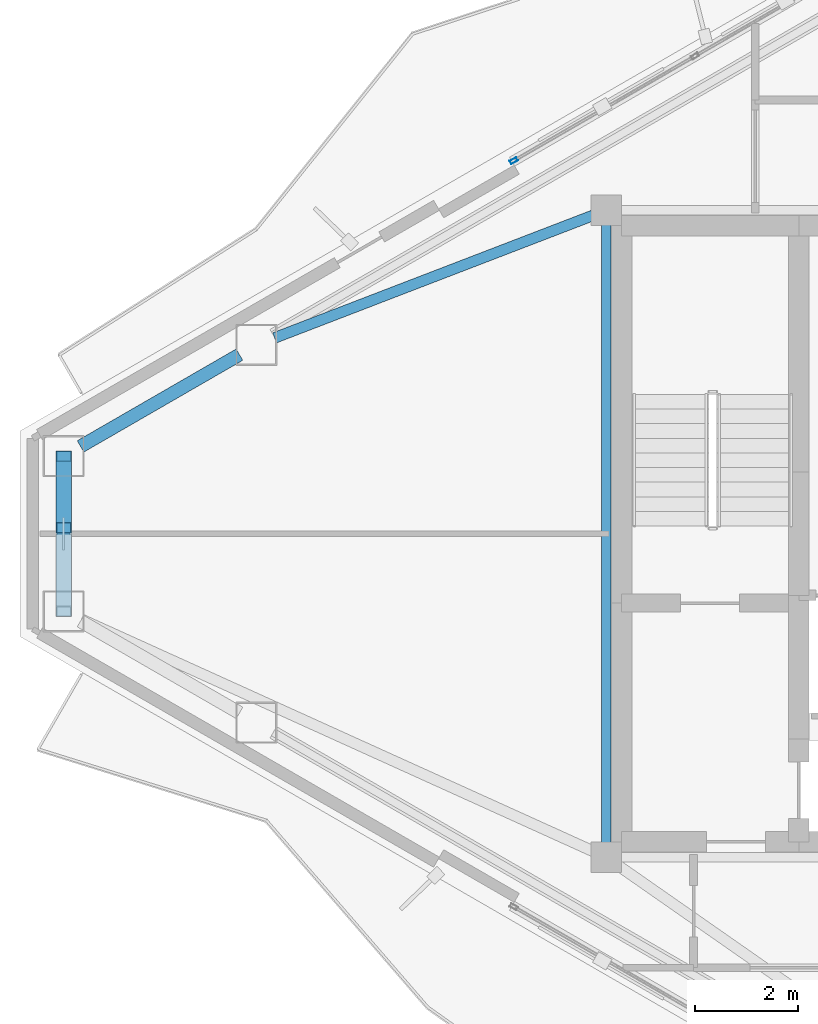
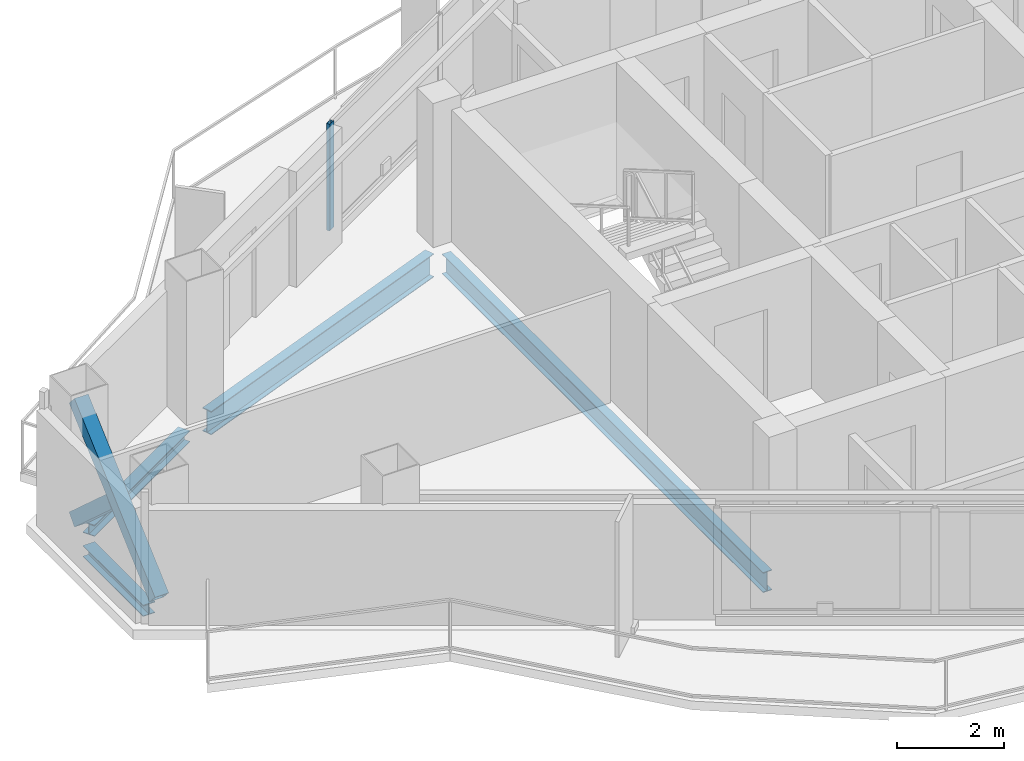
# One storey, part 8 of 18: 4 beams, 3 members, 1 element without a shape of its own.
"""IFC4 building model written with IfcOpenShell, lengths in metres."""

from ifc_helpers import new_model, si_unit, direction, frame, origin, origin_2d, place, context, subcontext, project, spatial, hollow_rectangle, i_section, extrude, material, layer, layer_set, material_profile, profile_set, type_object, element, aggregate, save


model = new_model("IFC4")

# Units and contexts
model_context = context("Model", 3, precision=1e-05, world=origin(), true_north=direction((0.0, 1.0)))
body_context = subcontext(model_context, "Body", "Model", "MODEL_VIEW")
ifc_project = project(units=[si_unit("LENGTHUNIT", "METRE"), si_unit("AREAUNIT", "SQUARE_METRE"), si_unit("VOLUMEUNIT", "CUBIC_METRE"), si_unit("PLANEANGLEUNIT", "RADIAN"), si_unit("MASSUNIT", "GRAM", prefix="KILO")], contexts=[model_context])

# Site, building, storey
site_placement = place(None, origin())
site = spatial("IfcSite", under=ifc_project, at=site_placement, CompositionType="ELEMENT")
building_placement = place(site_placement, origin())
building = spatial("IfcBuilding", under=site, at=building_placement, Name="Mersakhor Tower and Convention Hall", CompositionType="ELEMENT")
storey_placement = place(building_placement, frame((0.0, 0.0, 246.300048828125)))
storey = spatial("IfcBuildingStorey", under=building, at=storey_placement, Name="L69", CompositionType="ELEMENT", Elevation=246.300048828125)

# Beams
ifc_material_1 = material(Name="Steel S355", Category="steel")
ifc_material_profile_1 = material_profile(ifc_material_1, i_section(OverallWidth=0.19140625, OverallDepth=0.4599609375, WebThickness=0.010009765625, FlangeThickness=0.01611328125, at=origin_2d()), Name="UB 457x191x82")
ifc_profile_set_1 = profile_set([ifc_material_profile_1], Name="Steel S355")
beam_type_1 = type_object("IfcBeamType", Name="BM-FB-457", PredefinedType="BEAM", material=ifc_profile_set_1)
beam_1_placement = place(storey_placement, frame((21.89990234375, 20.72998046875, -0.449951171875), z_axis=(0.0, 1.0, 0.0), x_axis=(-1.0, 0.0, 0.0)))
element("IfcBeam", 1, at=beam_1_placement, inside=storey, type_object=beam_type_1, Name="L69 Core Ring Tie Beam CRB-1", PredefinedType="BEAM", context=body_context, shape_type="SweptSolid", body=[
    extrude(i_section(OverallWidth=0.19140625, OverallDepth=0.4599609375, WebThickness=0.010009765625, FlangeThickness=0.01611328125, at=origin_2d()), origin(), (0.0, 0.0, 1.0), 12.0400390625),
])
ifc_material_2 = material(Name="Steel S355", Category="steel")
ifc_material_profile_2 = material_profile(ifc_material_2, i_section(OverallWidth=0.2099609375, OverallDepth=0.53662109375, WebThickness=0.0107421875, FlangeThickness=0.017333984375, at=origin_2d()), Name="UB 533x210x101")
ifc_profile_set_2 = profile_set([ifc_material_profile_2], Name="Steel S355")
beam_type_2 = type_object("IfcBeamType", Name="BM-FB-533", PredefinedType="BEAM", material=ifc_profile_set_2)
beam_2_placement = place(storey_placement, frame((21.638671875, 32.949462890625, -0.48828125), z_axis=(-0.933316231297, -0.359055444741, 0.0), x_axis=(0.359055444741, -0.933316231297, 0.0)))
element("IfcBeam", 2, at=beam_2_placement, inside=storey, type_object=beam_type_2, Name="L69 Primary Floor Girder FG-1", PredefinedType="BEAM", context=body_context, shape_type="SweptSolid", body=[
    extrude(i_section(OverallWidth=0.2099609375, OverallDepth=0.53662109375, WebThickness=0.0107421875, FlangeThickness=0.017333984375, at=origin_2d()), origin(), (0.0, 0.0, 1.0), 6.64111328125),
])
ifc_material_3 = material(Name="Steel S355", Category="steel")
ifc_material_profile_3 = material_profile(ifc_material_3, i_section(OverallWidth=0.25634765625, OverallDepth=0.26025390625, WebThickness=0.01025390625, FlangeThickness=0.017333984375, at=origin_2d()), Name="UC 254x254x89")
ifc_profile_set_3 = profile_set([ifc_material_profile_3], Name="Steel S355")
beam_type_3 = type_object("IfcBeamType", Name="BM-SPD-UC254", PredefinedType="SPANDREL", material=ifc_profile_set_3)
beam_3_placement = place(storey_placement, frame((11.6611328125, 28.451416015625, -0.35009765625), z_axis=(0.866032030752, 0.499988521579, 0.0), x_axis=(-0.499988521579, 0.866032030752, 0.0)))
element("IfcBeam", 3, at=beam_3_placement, inside=storey, type_object=beam_type_3, Name="L69 Perimeter Spandrel Beam SPB-01", PredefinedType="SPANDREL", context=body_context, shape_type="SweptSolid", body=[
    extrude(i_section(OverallWidth=0.25634765625, OverallDepth=0.26025390625, WebThickness=0.01025390625, FlangeThickness=0.017333984375, at=origin_2d()), origin(), (0.0, 0.0, 1.0), 3.57421875),
])
beam_4_placement = place(storey_placement, frame((11.33203125, 25.61865234375, -0.35009765625), z_axis=(0.0, 1.0, 0.0), x_axis=(-1.0, 0.0, 0.0)))
element("IfcBeam", 4, at=beam_4_placement, inside=storey, type_object=beam_type_3, Name="L69 Perimeter Spandrel Beam SPB-12", PredefinedType="SPANDREL", context=body_context, shape_type="SweptSolid", body=[
    extrude(i_section(OverallWidth=0.25634765625, OverallDepth=0.26025390625, WebThickness=0.01025390625, FlangeThickness=0.017333984375, at=origin_2d()), origin(), (0.0, 0.0, 1.0), 2.2626953125),
])

# Curtain wall, member
ifc_material_4 = material(Name="Dark solar low-E aluminium curtain wall", Category="aluminium")
ifc_layer = layer(ifc_material_4, 0.179931640625)
ifc_layer_set = layer_set([ifc_layer], Name="Dark solar low-E aluminium curtain wall")
curtain_wall_type = type_object("IfcCurtainWallType", Name="CW-SYS-03", PredefinedType="USERDEFINED", material=ifc_layer_set)
curtain_wall_placement = place(storey_placement, origin())
curtain_wall = element("IfcCurtainWall", 5, at=curtain_wall_placement, inside=storey, type_object=curtain_wall_type, Name="L69 Dark-Glass Curtain Wall F1-B2", ObjectType="CURTAIN WALL", PredefinedType="USERDEFINED")
ifc_material_5 = material(Name="Anodised aluminium EN AW-6063 T6", Category="aluminium")
ifc_material_profile_4 = material_profile(ifc_material_5, hollow_rectangle(XDim=0.074951171875, YDim=0.14990234375, WallThickness=0.00634765625, at=origin_2d()), Name="RHS 150x75x6.3")
ifc_profile_set_4 = profile_set([ifc_material_profile_4], Name="Anodised aluminium EN AW-6063 T6")
member_type_1 = type_object("IfcMemberType", Name="CWM-150x75", PredefinedType="MULLION", material=ifc_profile_set_4)
member_1_placement = place(storey_placement, frame((20.098388671875, 34.015380859375, 0.199951171875), z_axis=(0.0, 0.0, 1.0), x_axis=(-0.500004411169, 0.86602285698, 0.0)))
member_1 = element("IfcMember", 6, at=member_1_placement, type_object=member_type_1, Name="CW-03 mullion 1", PredefinedType="MULLION", context=body_context, shape_type="SweptSolid", body=[
    extrude(hollow_rectangle(XDim=0.074951171875, YDim=0.14990234375, WallThickness=0.00634765625, at=origin_2d()), origin(), (0.0, 0.0, 1.0), 2.43994140625),
])
aggregate(curtain_wall, [member_1])

# Members
ifc_material_6 = material(Name="Steel S355", Category="steel")
ifc_material_profile_5 = material_profile(ifc_material_6, hollow_rectangle(XDim=0.300048828125, YDim=0.300048828125, WallThickness=0.01611328125, at=origin_2d()), Name="SHS 300x300x16")
ifc_profile_set_5 = profile_set([ifc_material_profile_5], Name="Steel S355")
member_type_2 = type_object("IfcMemberType", Name="MB-BRC-SHS300", PredefinedType="BRACE", material=ifc_profile_set_5)
member_2_placement = place(storey_placement, frame((11.33203125, 25.23876953125, 0.14990234375), z_axis=(0.0, 0.743324000807, 0.6689315584), x_axis=(-1.0, 0.0, 0.0)))
element("IfcMember", 7, at=member_2_placement, inside=storey, type_object=member_type_2, Name="L69 Chamfer Braced Frame Diagonal CB-3A", PredefinedType="BRACE", context=body_context, shape_type="SweptSolid", body=[
    extrude(hollow_rectangle(XDim=0.300048828125, YDim=0.300048828125, WallThickness=0.01611328125, at=origin_2d()), origin(), (0.0, 0.0, 1.0), 4.066162109375),
])
member_3_placement = place(storey_placement, frame((11.33203125, 28.26123046875, 0.14990234375), z_axis=(0.0, -0.743255283326, 0.669007910123), x_axis=(1.0, 0.0, 0.0)))
element("IfcMember", 8, at=member_3_placement, inside=storey, type_object=member_type_2, Name="L69 Chamfer Braced Frame Diagonal CB-3B Lower Half", PredefinedType="BRACE", context=body_context, shape_type="SweptSolid", body=[
    extrude(hollow_rectangle(XDim=0.300048828125, YDim=0.300048828125, WallThickness=0.01611328125, at=origin_2d()), origin(), (0.0, 0.0, 1.0), 1.874267578125),
])

save(model, "model.ifc")
